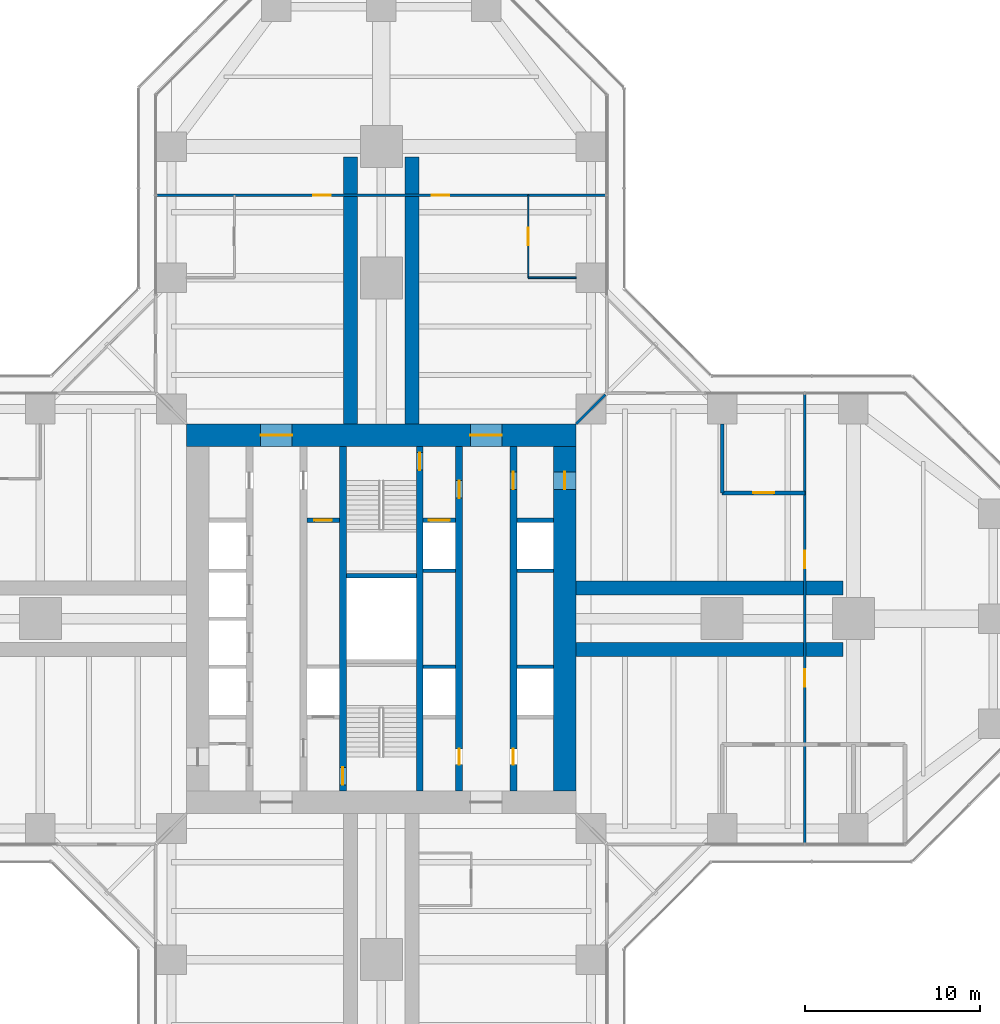
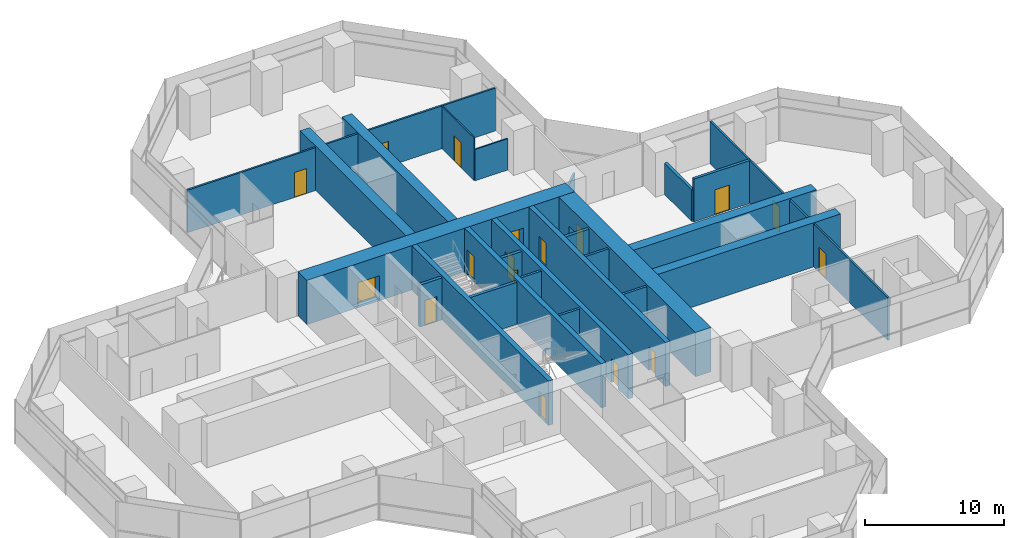
# One storey, part 19 of 22: 25 walls, 17 doors, 17 openings.
"""IFC4 building model written with IfcOpenShell, lengths in metres."""

import ifcopenshell
import ifcopenshell.guid

model = None  # the IFC model being written
_history = None  # IfcOwnerHistory: only IFC2X3 demands one
_inside = {}  # id of a spatial element -> (the spatial element, [elements in it])
_under = {}  # id of a project, library or spatial element -> (it, [spatial elements below it])
_declared = {}  # id of a project -> (the project, [libraries it declares])
_typed = {}  # id of a type object -> (the type object, [elements of that type])
_made_of = {}  # id of a material, layer set ... -> (it, [elements and type objects made of it])


def new_model(schema):
    """Start an empty IFC model of exactly this schema.

    Asked for "IFC4X3", IfcOpenShell would pick the latest addendum, in which some entities
    have other attributes; the version numbers below select the first issue.
    IFC2X3 requires an IfcOwnerHistory on every rooted entity: one is made here for all.
    """
    global model, _history
    if schema == "IFC4X3":
        model = ifcopenshell.file(schema_version=(4, 3, 0, 0))
    else:
        model = ifcopenshell.file(schema=schema)
    _inside.clear()
    _under.clear()
    _declared.clear()
    _typed.clear()
    _made_of.clear()
    _history = None
    if model.schema == "IFC2X3":
        org = make("IfcOrganization", Name="unknown")
        user = make(
            "IfcPersonAndOrganization",
            ThePerson=make("IfcPerson", FamilyName="unknown"),
            TheOrganization=org,
        )
        app = make(
            "IfcApplication",
            ApplicationDeveloper=org,
            Version="unknown",
            ApplicationFullName="unknown",
            ApplicationIdentifier="unknown",
        )
        _history = make(
            "IfcOwnerHistory",
            OwningUser=user,
            OwningApplication=app,
            ChangeAction="ADDED",
            CreationDate=0,
        )
    return model


def make(cls, **values):
    """One entity of the class cls with the attributes given. An attribute that is None is left unset."""
    return model.create_entity(
        cls, **{name: value for name, value in values.items() if value is not None}
    )


def rooted(cls, **values):
    """An entity with a GlobalId (a new one), such as an element, a storey or a relation."""
    return make(cls, GlobalId=ifcopenshell.guid.new(), OwnerHistory=_history, **values)


def si_unit(unit_type, name, prefix=None):
    """IfcSIUnit, for example si_unit("LENGTHUNIT", "METRE", prefix="MILLI")."""
    return make("IfcSIUnit", UnitType=unit_type, Prefix=prefix, Name=name)


def assignment(units):
    """IfcUnitAssignment: the units of a project."""
    return None if units is None else make("IfcUnitAssignment", Units=units)


def point(xyz):
    """IfcCartesianPoint."""
    return None if xyz is None else make("IfcCartesianPoint", Coordinates=xyz)


def direction(xyz):
    """IfcDirection."""
    return None if xyz is None else make("IfcDirection", DirectionRatios=xyz)


def frame(location, z_axis=None, x_axis=None):
    """IfcAxis2Placement3D, a coordinate frame: its origin and axes. An axis left out is left unset."""
    return make(
        "IfcAxis2Placement3D",
        Location=point(location),
        Axis=direction(z_axis),
        RefDirection=direction(x_axis),
    )


def frame_2d(location, x_axis=None):
    """IfcAxis2Placement2D, a coordinate frame in the plane: its origin and x axis."""
    return make(
        "IfcAxis2Placement2D", Location=point(location), RefDirection=direction(x_axis)
    )


def origin():
    """The frame at (0, 0, 0) with its axes left unset."""
    return frame((0.0, 0.0, 0.0))


def place(relative_to, where):
    """IfcLocalPlacement: puts the frame where relative to a parent placement (None: the world)."""
    return make(
        "IfcLocalPlacement", PlacementRelTo=relative_to, RelativePlacement=where
    )


def context(
    kind, dimensions, precision=None, world=None, true_north=None, identifier=None
):
    """IfcGeometricRepresentationContext, for example the 3D "Model" context."""
    return make(
        "IfcGeometricRepresentationContext",
        ContextIdentifier=identifier,
        ContextType=kind,
        CoordinateSpaceDimension=dimensions,
        Precision=precision,
        WorldCoordinateSystem=world,
        TrueNorth=true_north,
    )


def subcontext(parent, identifier, kind, view, scale=None):
    """IfcGeometricRepresentationSubContext, for example "Body" below "Model"."""
    return make(
        "IfcGeometricRepresentationSubContext",
        ContextIdentifier=identifier,
        ContextType=kind,
        ParentContext=parent,
        TargetScale=scale,
        TargetView=view,
    )


def project(units=None, contexts=None):
    """IfcProject with its units and contexts."""
    return rooted(
        "IfcProject",
        Name="project",
        RepresentationContexts=contexts,
        UnitsInContext=assignment(units),
    )


def spatial(cls, under=None, at=None, **own):
    """A site, building, storey or space (cls), placed at a placement, below another one or the project."""
    s = rooted(cls, ObjectPlacement=at, **own)
    if under is not None:
        _under.setdefault(under.id(), (under, []))[1].append(s)
    return s


def profile(cls, at=None, kind="AREA", **sizes):
    """A parametric profile (cls). Its sizes go by their IFC names, for example OverallWidth=200.0."""
    return make(cls, ProfileType=kind, Position=at, **sizes)


def rectangle(**sizes):
    """IfcRectangleProfileDef."""
    return profile("IfcRectangleProfileDef", **sizes)


def extrude(swept, where, along, depth):
    """IfcExtrudedAreaSolid: the profile swept, set in the frame where, extruded along a direction by depth."""
    return make(
        "IfcExtrudedAreaSolid",
        SweptArea=swept,
        Position=where,
        ExtrudedDirection=direction(along),
        Depth=depth,
    )


def shape(context_of_items, identifier, shape_type, items):
    """IfcShapeRepresentation: the items that make up one representation, for example the "Body"."""
    return make(
        "IfcShapeRepresentation",
        ContextOfItems=context_of_items,
        RepresentationIdentifier=identifier,
        RepresentationType=shape_type,
        Items=items,
    )


def material(Name=None, Category=None):
    """IfcMaterial."""
    return make("IfcMaterial", Name=Name, Category=Category)


def layer(
    of_material, thickness, ventilated=None, Name=None, Category=None, Priority=None
):
    """IfcMaterialLayer: one layer of a wall or slab, of a material (None: an air gap)."""
    return make(
        "IfcMaterialLayer",
        Material=of_material,
        LayerThickness=thickness,
        IsVentilated=ventilated,
        Name=Name,
        Category=Category,
        Priority=Priority,
    )


def layer_set(layers, Name=None):
    """IfcMaterialLayerSet."""
    return make("IfcMaterialLayerSet", MaterialLayers=layers, LayerSetName=Name)


def made_of(thing, what):
    """Note that an element or type object is made of a material, layer set ...; save() writes the relation."""
    if what is not None:
        _made_of.setdefault(what.id(), (what, []))[1].append(thing)
    return thing


def type_object(cls, material=None, **own):
    """A type object (cls), such as IfcWallType, which elements share."""
    return made_of(rooted(cls, **own), material)


def element(
    cls,
    number,
    at=None,
    inside=None,
    cuts=None,
    type_object=None,
    material=None,
    context=None,
    identifier="Body",
    shape_type=None,
    held_by="IfcProductDefinitionShape",
    body=None,
    shapes=None,
    **own,
):
    """One element of the class cls, such as IfcWall. Its Tag is "e" and its number.

    at: its placement. inside: the storey or other place that contains it. cuts: it is an
    opening in that element (IfcRelVoidsElement). A single representation is given by context,
    identifier, shape_type and body (its items); several are given by shapes. held_by: the class
    of the entity that holds the representations. save() writes the other relations.
    """
    e = rooted(cls, Tag="e%d" % number, ObjectPlacement=at, **own)
    if body is not None:
        shapes = [shape(context, identifier, shape_type, body)]
    if shapes is not None:
        e.Representation = make(held_by, Representations=shapes)
    if inside is not None:
        _inside.setdefault(inside.id(), (inside, []))[1].append(e)
    if cuts is not None:
        rooted(
            "IfcRelVoidsElement", RelatingBuildingElement=cuts, RelatedOpeningElement=e
        )
    if type_object is not None:
        _typed.setdefault(type_object.id(), (type_object, []))[1].append(e)
    return made_of(e, material)


def fill(opening, filler):
    """IfcRelFillsElement: the door or window that sits in an opening."""
    return rooted(
        "IfcRelFillsElement",
        RelatingOpeningElement=opening,
        RelatedBuildingElement=filler,
    )


def aggregate(whole, parts):
    """IfcRelAggregates: a whole, such as a stair, and the parts it consists of."""
    return rooted("IfcRelAggregates", RelatingObject=whole, RelatedObjects=parts)


def save(model, path):
    """Write the relations noted so far, then the file.

    IfcRelAggregates (storeys below a building ...), IfcRelContainedInSpatialStructure (elements
    in a storey), IfcRelDefinesByType, IfcRelAssociatesMaterial and IfcRelDeclares: one each for
    every whole, place, type object, material and project.
    """
    for whole, parts in _under.values():
        aggregate(whole, parts)
    for where, things in _inside.values():
        rooted(
            "IfcRelContainedInSpatialStructure",
            RelatedElements=things,
            RelatingStructure=where,
        )
    for kind, things in _typed.values():
        rooted("IfcRelDefinesByType", RelatedObjects=things, RelatingType=kind)
    for what, things in _made_of.values():
        rooted("IfcRelAssociatesMaterial", RelatedObjects=things, RelatingMaterial=what)
    for by, libraries in _declared.values():
        rooted("IfcRelDeclares", RelatingContext=by, RelatedDefinitions=libraries)
    model.write(path)


model = new_model("IFC4")

# Units and contexts
model_context = context("Model", 3, precision=1e-05, world=origin(), true_north=direction((0.0, 1.0)))
body_context = subcontext(model_context, "Body", "Model", "MODEL_VIEW")
ifc_project = project(units=[si_unit("LENGTHUNIT", "METRE"), si_unit("AREAUNIT", "SQUARE_METRE"), si_unit("VOLUMEUNIT", "CUBIC_METRE"), si_unit("PLANEANGLEUNIT", "RADIAN"), si_unit("MASSUNIT", "GRAM", prefix="KILO")], contexts=[model_context])

# Site, building, storey
site_placement = place(None, origin())
site = spatial("IfcSite", under=ifc_project, at=site_placement, CompositionType="ELEMENT")
building_placement = place(site_placement, origin())
building = spatial("IfcBuilding", under=site, at=building_placement, Name="Mizan Broadcast Tower", CompositionType="ELEMENT")
storey_placement = place(building_placement, frame((0.0, 0.0, 86.39990234375)))
storey = spatial("IfcBuildingStorey", under=building, at=storey_placement, Name="L18", CompositionType="ELEMENT", Elevation=86.39990234375)

# Wall, openings, doors
ifc_material_1 = material(Name="Concrete C70/85", Category="concrete")
ifc_layer_1 = layer(ifc_material_1, 0.39990234375)
ifc_layer_set_1 = layer_set([ifc_layer_1], Name="Concrete C70/85")
wall_type_1 = type_object("IfcWallType", Name="CORE INTERNAL WALL 400", PredefinedType="SHEAR", material=ifc_layer_set_1)
wall_1_placement = place(storey_placement, frame((7.550048828125, 9.85009765625, 0.0), z_axis=(0.0, 0.0, 1.0), x_axis=(0.0, -1.0, 0.0)))
wall_1 = element("IfcWall", 1, at=wall_1_placement, inside=storey, type_object=wall_type_1, Name="Core wall CORE/XW1E", PredefinedType="SHEAR", context=body_context, shape_type="SweptSolid", body=[
    extrude(rectangle(XDim=19.7001953125, YDim=0.39990234375, at=frame_2d((9.85009765625, 0.0))), origin(), (0.0, 0.0, 1.0), 3.900146484375),
])
opening_1_placement = place(wall_1_placement, frame((1.449951171875, 0.0, 0.0)))
opening_1 = element("IfcOpeningElement", 2, at=opening_1_placement, cuts=wall_1, Name="Opening D10F", PredefinedType="OPENING", context=body_context, shape_type="SweptSolid", body=[
    extrude(rectangle(XDim=1.0, YDim=2.199951171875, at=frame_2d((0.5, 1.10009765625))), frame((0.0, 0.2099609375, 0.0), z_axis=(0.0, -1.0, 0.0), x_axis=(1.0, 0.0, 0.0)), (0.0, 0.0, 1.0), 0.419921875),
])
opening_2_placement = place(wall_1_placement, frame((17.300048828125, 0.0, 0.0)))
opening_2 = element("IfcOpeningElement", 3, at=opening_2_placement, cuts=wall_1, Name="Opening D09", PredefinedType="OPENING", context=body_context, shape_type="SweptSolid", body=[
    extrude(rectangle(XDim=0.89990234375, YDim=2.10009765625, at=frame_2d((0.449951171875, 1.050048828125))), frame((0.0, 0.2099609375, 0.0), z_axis=(0.0, -1.0, 0.0), x_axis=(1.0, 0.0, 0.0)), (0.0, 0.0, 1.0), 0.419921875),
])
ifc_material_2 = material(Name="Steel door leaf in steel frame", Category="steel")
door_type_1 = type_object("IfcDoorType", Name="FIRE DOOR 1000 FD90", OperationType="SINGLE_SWING_LEFT", PredefinedType="DOOR", material=ifc_material_2)
door_1_placement = place(opening_1_placement, origin())
door_1 = element("IfcDoor", 4, at=door_1_placement, inside=storey, type_object=door_type_1, Name="East core passage door", OperationType="SINGLE_SWING_LEFT", OverallHeight=2.199951171875, OverallWidth=1.0, PredefinedType="DOOR", context=body_context, shape_type="SweptSolid", body=[
    extrude(rectangle(XDim=1.0, YDim=2.199951171875, at=frame_2d((0.5, 1.10009765625))), frame((0.0, 0.02490234375, 0.0), z_axis=(0.0, -1.0, 0.0), x_axis=(1.0, 0.0, 0.0)), (0.0, 0.0, 1.0), 0.050048828125),
])
fill(opening_1, door_1)
ifc_material_3 = material(Name="Timber door leaf in aluminium frame", Category="wood")
door_type_2 = type_object("IfcDoorType", Name="TOILET DOOR 900", OperationType="SINGLE_SWING_LEFT", PredefinedType="DOOR", material=ifc_material_3)
door_2_placement = place(opening_2_placement, origin())
door_2 = element("IfcDoor", 5, at=door_2_placement, inside=storey, type_object=door_type_2, Name="Female WC door", OperationType="SINGLE_SWING_RIGHT", OverallHeight=2.10009765625, OverallWidth=0.89990234375, PredefinedType="DOOR", context=body_context, shape_type="SweptSolid", body=[
    extrude(rectangle(XDim=0.89990234375, YDim=2.10009765625, at=frame_2d((0.449951171875, 1.050048828125))), frame((0.0, 0.02490234375, 0.0), z_axis=(0.0, -1.0, 0.0), x_axis=(1.0, 0.0, 0.0)), (0.0, 0.0, 1.0), 0.050048828125),
])
fill(opening_2, door_2)

wall_2_placement = place(storey_placement, frame((4.449951171875, 9.85009765625, 0.0), z_axis=(0.0, 0.0, 1.0), x_axis=(0.0, -1.0, 0.0)))
wall_2 = element("IfcWall", 6, at=wall_2_placement, inside=storey, type_object=wall_type_1, Name="Core wall CORE/XWHE", PredefinedType="SHEAR", context=body_context, shape_type="SweptSolid", body=[
    extrude(rectangle(XDim=19.7001953125, YDim=0.39990234375, at=frame_2d((9.85009765625, 0.0))), origin(), (0.0, 0.0, 1.0), 3.900146484375),
])
opening_3_placement = place(wall_2_placement, frame((1.949951171875, 0.0, 0.0)))
opening_3 = element("IfcOpeningElement", 7, at=opening_3_placement, cuts=wall_2, Name="Opening D10F", PredefinedType="OPENING", context=body_context, shape_type="SweptSolid", body=[
    extrude(rectangle(XDim=1.0, YDim=2.199951171875, at=frame_2d((0.5, 1.10009765625))), frame((0.0, 0.2099609375, 0.0), z_axis=(0.0, -1.0, 0.0), x_axis=(1.0, 0.0, 0.0)), (0.0, 0.0, 1.0), 0.419921875),
])
opening_4_placement = place(wall_2_placement, frame((17.300048828125, 0.0, 0.0)))
opening_4 = element("IfcOpeningElement", 8, at=opening_4_placement, cuts=wall_2, Name="Opening D09", PredefinedType="OPENING", context=body_context, shape_type="SweptSolid", body=[
    extrude(rectangle(XDim=0.89990234375, YDim=2.10009765625, at=frame_2d((0.449951171875, 1.050048828125))), frame((0.0, 0.2099609375, 0.0), z_axis=(0.0, -1.0, 0.0), x_axis=(1.0, 0.0, 0.0)), (0.0, 0.0, 1.0), 0.419921875),
])
door_3_placement = place(opening_3_placement, origin())
door_3 = element("IfcDoor", 9, at=door_3_placement, inside=storey, type_object=door_type_1, Name="Firefighting lobby B door", OperationType="SINGLE_SWING_LEFT", OverallHeight=2.199951171875, OverallWidth=1.0, PredefinedType="DOOR", context=body_context, shape_type="SweptSolid", body=[
    extrude(rectangle(XDim=1.0, YDim=2.199951171875, at=frame_2d((0.5, 1.10009765625))), frame((0.0, 0.02490234375, 0.0), z_axis=(0.0, -1.0, 0.0), x_axis=(1.0, 0.0, 0.0)), (0.0, 0.0, 1.0), 0.050048828125),
])
fill(opening_3, door_3)
door_4_placement = place(opening_4_placement, origin())
door_4 = element("IfcDoor", 10, at=door_4_placement, inside=storey, type_object=door_type_2, Name="Cleaner's store door", OperationType="SINGLE_SWING_RIGHT", OverallHeight=2.10009765625, OverallWidth=0.89990234375, PredefinedType="DOOR", context=body_context, shape_type="SweptSolid", body=[
    extrude(rectangle(XDim=0.89990234375, YDim=2.10009765625, at=frame_2d((0.449951171875, 1.050048828125))), frame((0.0, 0.02490234375, 0.0), z_axis=(0.0, -1.0, 0.0), x_axis=(1.0, 0.0, 0.0)), (0.0, 0.0, 1.0), 0.050048828125),
])
fill(opening_4, door_4)

# Wall, opening, door
wall_3_placement = place(storey_placement, frame((-2.199951171875, -9.85009765625, 0.0), z_axis=(0.0, 0.0, 1.0), x_axis=(0.0, 1.0, 0.0)))
wall_3 = element("IfcWall", 11, at=wall_3_placement, inside=storey, type_object=wall_type_1, Name="Core wall CORE/XW2", PredefinedType="SHEAR", context=body_context, shape_type="SweptSolid", body=[
    extrude(rectangle(XDim=19.7001953125, YDim=0.39990234375, at=frame_2d((9.85009765625, 0.0))), origin(), (0.0, 0.0, 1.0), 3.900146484375),
])
opening_5_placement = place(wall_3_placement, frame((0.35009765625, 0.0, 0.0)))
opening_5 = element("IfcOpeningElement", 12, at=opening_5_placement, cuts=wall_3, Name="Opening D10S", PredefinedType="OPENING", context=body_context, shape_type="SweptSolid", body=[
    extrude(rectangle(XDim=1.0, YDim=2.199951171875, at=frame_2d((0.5, 1.10009765625))), frame((0.0, 0.2099609375, 0.0), z_axis=(0.0, -1.0, 0.0), x_axis=(1.0, 0.0, 0.0)), (0.0, 0.0, 1.0), 0.419921875),
])
ifc_material_4 = material(Name="Steel door leaf in steel frame", Category="steel")
door_type_3 = type_object("IfcDoorType", Name="STAIR DOOR 1000 FD90S", OperationType="SINGLE_SWING_RIGHT", PredefinedType="DOOR", material=ifc_material_4)
door_5_placement = place(opening_5_placement, origin())
door_5 = element("IfcDoor", 13, at=door_5_placement, inside=storey, type_object=door_type_3, Name="Stair A door", OperationType="SINGLE_SWING_RIGHT", OverallHeight=2.199951171875, OverallWidth=1.0, PredefinedType="DOOR", context=body_context, shape_type="SweptSolid", body=[
    extrude(rectangle(XDim=1.0, YDim=2.199951171875, at=frame_2d((0.5, 1.10009765625))), frame((0.0, 0.02490234375, 0.0), z_axis=(0.0, -1.0, 0.0), x_axis=(1.0, 0.0, 0.0)), (0.0, 0.0, 1.0), 0.050048828125),
])
fill(opening_5, door_5)

wall_4_placement = place(storey_placement, frame((2.199951171875, 9.85009765625, 0.0), z_axis=(0.0, 0.0, 1.0), x_axis=(0.0, -1.0, 0.0)))
wall_4 = element("IfcWall", 14, at=wall_4_placement, inside=storey, type_object=wall_type_1, Name="Core wall CORE/XW2E", PredefinedType="SHEAR", context=body_context, shape_type="SweptSolid", body=[
    extrude(rectangle(XDim=19.7001953125, YDim=0.39990234375, at=frame_2d((9.85009765625, 0.0))), origin(), (0.0, 0.0, 1.0), 3.900146484375),
])
opening_6_placement = place(wall_4_placement, frame((0.35009765625, 0.0, 0.0)))
opening_6 = element("IfcOpeningElement", 15, at=opening_6_placement, cuts=wall_4, Name="Opening D10S", PredefinedType="OPENING", context=body_context, shape_type="SweptSolid", body=[
    extrude(rectangle(XDim=1.0, YDim=2.199951171875, at=frame_2d((0.5, 1.10009765625))), frame((0.0, 0.2099609375, 0.0), z_axis=(0.0, -1.0, 0.0), x_axis=(1.0, 0.0, 0.0)), (0.0, 0.0, 1.0), 0.419921875),
])
door_6_placement = place(opening_6_placement, origin())
door_6 = element("IfcDoor", 16, at=door_6_placement, inside=storey, type_object=door_type_3, Name="Stair B door", OperationType="SINGLE_SWING_RIGHT", OverallHeight=2.199951171875, OverallWidth=1.0, PredefinedType="DOOR", context=body_context, shape_type="SweptSolid", body=[
    extrude(rectangle(XDim=1.0, YDim=2.199951171875, at=frame_2d((0.5, 1.10009765625))), frame((0.0, 0.02490234375, 0.0), z_axis=(0.0, -1.0, 0.0), x_axis=(1.0, 0.0, 0.0)), (0.0, 0.0, 1.0), 0.050048828125),
])
fill(opening_6, door_6)

# Wall, openings, doors
ifc_material_5 = material(Name="Concrete C70/85", Category="concrete")
ifc_layer_2 = layer(ifc_material_5, 1.300048828125)
ifc_layer_set_2 = layer_set([ifc_layer_2], Name="Concrete C70/85")
wall_type_2 = type_object("IfcWallType", Name="CORE WALL 1300", PredefinedType="SHEAR", material=ifc_layer_set_2)
wall_5_placement = place(storey_placement, frame((-11.14990234375, 10.5, 0.0), z_axis=(0.0, 0.0, 1.0), x_axis=(1.0, 0.0, 0.0)))
wall_5 = element("IfcWall", 17, at=wall_5_placement, inside=storey, type_object=wall_type_2, Name="Core wall N L18", PredefinedType="SHEAR", context=body_context, shape_type="SweptSolid", body=[
    extrude(rectangle(XDim=22.2998046875, YDim=1.300048828125, at=frame_2d((11.14990234375, 0.0))), origin(), (0.0, 0.0, 1.0), 3.900146484375),
])
opening_7_placement = place(wall_5_placement, frame((4.25, 0.0, 0.0)))
opening_7 = element("IfcOpeningElement", 18, at=opening_7_placement, cuts=wall_5, Name="Opening D18F", PredefinedType="OPENING", context=body_context, shape_type="SweptSolid", body=[
    extrude(rectangle(XDim=1.800048828125, YDim=2.199951171875, at=frame_2d((0.89990234375, 1.10009765625))), frame((0.0, 0.659912109375, 0.0), z_axis=(0.0, -1.0, 0.0), x_axis=(1.0, 0.0, 0.0)), (0.0, 0.0, 1.0), 1.320068359375),
])
opening_8_placement = place(wall_5_placement, frame((16.25, 0.0, 0.0)))
opening_8 = element("IfcOpeningElement", 19, at=opening_8_placement, cuts=wall_5, Name="Opening D18F", PredefinedType="OPENING", context=body_context, shape_type="SweptSolid", body=[
    extrude(rectangle(XDim=1.800048828125, YDim=2.199951171875, at=frame_2d((0.89990234375, 1.10009765625))), frame((0.0, 0.659912109375, 0.0), z_axis=(0.0, -1.0, 0.0), x_axis=(1.0, 0.0, 0.0)), (0.0, 0.0, 1.0), 1.320068359375),
])
ifc_material_6 = material(Name="Steel door leaf in steel frame", Category="steel")
door_type_4 = type_object("IfcDoorType", Name="LOBBY DOUBLE DOOR 1800 FD90", OperationType="DOUBLE_DOOR_DOUBLE_SWING", PredefinedType="DOOR", material=ifc_material_6)
door_7_placement = place(opening_7_placement, origin())
door_7 = element("IfcDoor", 20, at=door_7_placement, inside=storey, type_object=door_type_4, Name="West lift lobby north door", OperationType="DOUBLE_DOOR_DOUBLE_SWING", OverallHeight=2.199951171875, OverallWidth=1.800048828125, PredefinedType="DOOR", context=body_context, shape_type="SweptSolid", body=[
    extrude(rectangle(XDim=1.800048828125, YDim=2.199951171875, at=frame_2d((0.89990234375, 1.10009765625))), frame((0.0, 0.02490234375, 0.0), z_axis=(0.0, -1.0, 0.0), x_axis=(1.0, 0.0, 0.0)), (0.0, 0.0, 1.0), 0.050048828125),
])
fill(opening_7, door_7)
door_8_placement = place(opening_8_placement, origin())
door_8 = element("IfcDoor", 21, at=door_8_placement, inside=storey, type_object=door_type_4, Name="East lift lobby north door", OperationType="DOUBLE_DOOR_DOUBLE_SWING", OverallHeight=2.199951171875, OverallWidth=1.800048828125, PredefinedType="DOOR", context=body_context, shape_type="SweptSolid", body=[
    extrude(rectangle(XDim=1.800048828125, YDim=2.199951171875, at=frame_2d((0.89990234375, 1.10009765625))), frame((0.0, 0.02490234375, 0.0), z_axis=(0.0, -1.0, 0.0), x_axis=(1.0, 0.0, 0.0)), (0.0, 0.0, 1.0), 0.050048828125),
])
fill(opening_8, door_8)

# Wall, opening, door
wall_6_placement = place(storey_placement, frame((10.5, -9.85009765625, 0.0), z_axis=(0.0, 0.0, 1.0), x_axis=(0.0, 1.0, 0.0)))
wall_6 = element("IfcWall", 22, at=wall_6_placement, inside=storey, type_object=wall_type_2, Name="Core wall E L18", PredefinedType="SHEAR", context=body_context, shape_type="SweptSolid", body=[
    extrude(rectangle(XDim=19.7001953125, YDim=1.300048828125, at=frame_2d((9.85009765625, 0.0))), origin(), (0.0, 0.0, 1.0), 3.900146484375),
])
opening_9_placement = place(wall_6_placement, frame((17.25, 0.0, 0.0)))
opening_9 = element("IfcOpeningElement", 23, at=opening_9_placement, cuts=wall_6, Name="Opening D10F", PredefinedType="OPENING", context=body_context, shape_type="SweptSolid", body=[
    extrude(rectangle(XDim=1.0, YDim=2.199951171875, at=frame_2d((0.5, 1.10009765625))), frame((0.0, 0.659912109375, 0.0), z_axis=(0.0, -1.0, 0.0), x_axis=(1.0, 0.0, 0.0)), (0.0, 0.0, 1.0), 1.320068359375),
])
door_9_placement = place(opening_9_placement, origin())
door_9 = element("IfcDoor", 24, at=door_9_placement, inside=storey, type_object=door_type_1, Name="East core passage arm door", OperationType="SINGLE_SWING_RIGHT", OverallHeight=2.199951171875, OverallWidth=1.0, PredefinedType="DOOR", context=body_context, shape_type="SweptSolid", body=[
    extrude(rectangle(XDim=1.0, YDim=2.199951171875, at=frame_2d((0.5, 1.10009765625))), frame((0.0, 0.02490234375, 0.0), z_axis=(0.0, -1.0, 0.0), x_axis=(1.0, 0.0, 0.0)), (0.0, 0.0, 1.0), 0.050048828125),
])
fill(opening_9, door_9)

# Walls
ifc_material_7 = material(Name="Concrete blockwork", Category="masonry")
ifc_layer_3 = layer(ifc_material_7, 0.199951171875)
ifc_layer_set_3 = layer_set([ifc_layer_3], Name="Concrete blockwork")
wall_type_3 = type_object("IfcWallType", Name="LIFT SHAFT WALL 200", PredefinedType="SOLIDWALL", material=ifc_layer_set_3)
wall_7_placement = place(storey_placement, frame((2.39990234375, -2.75, 0.0), z_axis=(0.0, 0.0, 1.0), x_axis=(1.0, 0.0, 0.0)))
element("IfcWall", 25, at=wall_7_placement, inside=storey, type_object=wall_type_3, Name="Lift shaft wall CORE/SE2-1", PredefinedType="SOLIDWALL", context=body_context, shape_type="SweptSolid", body=[
    extrude(rectangle(XDim=1.85009765625, YDim=0.199951171875, at=frame_2d((0.925048828125, 0.0))), origin(), (0.0, 0.0, 1.0), 3.7001953125),
])
wall_8_placement = place(storey_placement, frame((7.75, -2.75, 0.0), z_axis=(0.0, 0.0, 1.0), x_axis=(1.0, 0.0, 0.0)))
element("IfcWall", 26, at=wall_8_placement, inside=storey, type_object=wall_type_3, Name="Lift shaft wall CORE/SE1-1", PredefinedType="SOLIDWALL", context=body_context, shape_type="SweptSolid", body=[
    extrude(rectangle(XDim=2.10009765625, YDim=0.199951171875, at=frame_2d((1.050048828125, 0.0))), origin(), (0.0, 0.0, 1.0), 3.7001953125),
])
wall_9_placement = place(storey_placement, frame((2.39990234375, 2.75, 0.0), z_axis=(0.0, 0.0, 1.0), x_axis=(1.0, 0.0, 0.0)))
element("IfcWall", 27, at=wall_9_placement, inside=storey, type_object=wall_type_3, Name="Lift shaft wall CORE/SE2-3", PredefinedType="SOLIDWALL", context=body_context, shape_type="SweptSolid", body=[
    extrude(rectangle(XDim=1.85009765625, YDim=0.199951171875, at=frame_2d((0.925048828125, 0.0))), origin(), (0.0, 0.0, 1.0), 3.7001953125),
])
wall_10_placement = place(storey_placement, frame((7.75, 2.75, 0.0), z_axis=(0.0, 0.0, 1.0), x_axis=(1.0, 0.0, 0.0)))
element("IfcWall", 28, at=wall_10_placement, inside=storey, type_object=wall_type_3, Name="Lift shaft wall CORE/SE1-3", PredefinedType="SOLIDWALL", context=body_context, shape_type="SweptSolid", body=[
    extrude(rectangle(XDim=2.10009765625, YDim=0.199951171875, at=frame_2d((1.050048828125, 0.0))), origin(), (0.0, 0.0, 1.0), 3.7001953125),
])

# Wall, opening, door
ifc_material_8 = material(Name="Concrete blockwork", Category="masonry")
ifc_layer_4 = layer(ifc_material_8, 0.25)
ifc_layer_set_4 = layer_set([ifc_layer_4], Name="Concrete blockwork")
wall_type_4 = type_object("IfcWallType", Name="LOBBY ENCLOSURE WALL 250", PredefinedType="SOLIDWALL", material=ifc_layer_set_4)
wall_11_placement = place(storey_placement, frame((-4.25, 5.625, 0.0), z_axis=(0.0, 0.0, 1.0), x_axis=(1.0, 0.0, 0.0)))
wall_11 = element("IfcWall", 29, at=wall_11_placement, inside=storey, type_object=wall_type_4, Name="Lobby enclosure wall CORE/BW2N", PredefinedType="SOLIDWALL", context=body_context, shape_type="SweptSolid", body=[
    extrude(rectangle(XDim=1.85009765625, YDim=0.25, at=frame_2d((0.925048828125, 0.0))), origin(), (0.0, 0.0, 1.0), 3.7001953125),
])
opening_10_placement = place(wall_11_placement, frame((0.425048828125, 0.0, 0.0)))
opening_10 = element("IfcOpeningElement", 30, at=opening_10_placement, cuts=wall_11, Name="Opening D10F", PredefinedType="OPENING", context=body_context, shape_type="SweptSolid", body=[
    extrude(rectangle(XDim=1.0, YDim=2.199951171875, at=frame_2d((0.5, 1.10009765625))), frame((0.0, 0.135009765625, 0.0), z_axis=(0.0, -1.0, 0.0), x_axis=(1.0, 0.0, 0.0)), (0.0, 0.0, 1.0), 0.27001953125),
])
door_10_placement = place(opening_10_placement, origin())
door_10 = element("IfcDoor", 31, at=door_10_placement, inside=storey, type_object=door_type_1, Name="Accessible changing room door", OperationType="SINGLE_SWING_RIGHT", OverallHeight=2.199951171875, OverallWidth=1.0, PredefinedType="DOOR", context=body_context, shape_type="SweptSolid", body=[
    extrude(rectangle(XDim=1.0, YDim=2.199951171875, at=frame_2d((0.5, 1.10009765625))), frame((0.0, 0.02490234375, 0.0), z_axis=(0.0, -1.0, 0.0), x_axis=(1.0, 0.0, 0.0)), (0.0, 0.0, 1.0), 0.050048828125),
])
fill(opening_10, door_10)

wall_12_placement = place(storey_placement, frame((2.39990234375, 5.625, 0.0), z_axis=(0.0, 0.0, 1.0), x_axis=(1.0, 0.0, 0.0)))
wall_12 = element("IfcWall", 32, at=wall_12_placement, inside=storey, type_object=wall_type_4, Name="Lobby enclosure wall CORE/BE2N", PredefinedType="SOLIDWALL", context=body_context, shape_type="SweptSolid", body=[
    extrude(rectangle(XDim=1.85009765625, YDim=0.25, at=frame_2d((0.925048828125, 0.0))), origin(), (0.0, 0.0, 1.0), 3.7001953125),
])
opening_11_placement = place(wall_12_placement, frame((0.324951171875, 0.0, 0.0)))
opening_11 = element("IfcOpeningElement", 33, at=opening_11_placement, cuts=wall_12, Name="Opening LDF", PredefinedType="OPENING", context=body_context, shape_type="SweptSolid", body=[
    extrude(rectangle(XDim=1.199951171875, YDim=2.199951171875, at=frame_2d((0.60009765625, 1.10009765625))), frame((0.0, 0.135009765625, 0.0), z_axis=(0.0, -1.0, 0.0), x_axis=(1.0, 0.0, 0.0)), (0.0, 0.0, 1.0), 0.27001953125),
])
ifc_material_9 = material(Name="Steel door leaf in steel frame", Category="steel")
door_type_5 = type_object("IfcDoorType", Name="FIREFIGHTING LIFT LANDING DOOR 1200", OperationType="SLIDING_TO_LEFT", PredefinedType="DOOR", material=ifc_material_9)
door_11_placement = place(opening_11_placement, origin())
door_11 = element("IfcDoor", 34, at=door_11_placement, inside=storey, type_object=door_type_5, Name="Landing door FF2", OperationType="SLIDING_TO_LEFT", OverallHeight=2.199951171875, OverallWidth=1.199951171875, PredefinedType="DOOR", context=body_context, shape_type="SweptSolid", body=[
    extrude(rectangle(XDim=1.199951171875, YDim=2.199951171875, at=frame_2d((0.60009765625, 1.10009765625))), frame((0.0, 0.02490234375, 0.0), z_axis=(0.0, -1.0, 0.0), x_axis=(1.0, 0.0, 0.0)), (0.0, 0.0, 1.0), 0.050048828125),
])
fill(opening_11, door_11)

# Walls
wall_13_placement = place(storey_placement, frame((7.75, 5.625, 0.0), z_axis=(0.0, 0.0, 1.0), x_axis=(1.0, 0.0, 0.0)))
element("IfcWall", 35, at=wall_13_placement, inside=storey, type_object=wall_type_4, Name="Lobby enclosure wall CORE/BE1N", PredefinedType="SOLIDWALL", context=body_context, shape_type="SweptSolid", body=[
    extrude(rectangle(XDim=2.10009765625, YDim=0.25, at=frame_2d((1.050048828125, 0.0))), origin(), (0.0, 0.0, 1.0), 3.7001953125),
])
wall_14_placement = place(storey_placement, frame((-2.0, 2.449951171875, 0.0), z_axis=(0.0, 0.0, 1.0), x_axis=(1.0, 0.0, 0.0)))
element("IfcWall", 36, at=wall_14_placement, inside=storey, type_object=wall_type_4, Name="Lobby enclosure wall CORE/STB", PredefinedType="SOLIDWALL", context=body_context, shape_type="SweptSolid", body=[
    extrude(rectangle(XDim=4.0, YDim=0.25, at=frame_2d((2.0, 0.0))), origin(), (0.0, 0.0, 1.0), 3.7001953125),
])

# Wall, openings, doors
ifc_material_10 = material(Name="Gypsum board on steel studs", Category="steel")
ifc_layer_5 = layer(ifc_material_10, 0.14990234375)
ifc_layer_set_5 = layer_set([ifc_layer_5], Name="Gypsum board on steel studs")
wall_type_5 = type_object("IfcWallType", Name="PARTITION 150", PredefinedType="PARTITIONING", material=ifc_layer_set_5)
wall_15_placement = place(storey_placement, frame((24.22900390625, -12.820068359375, 0.0), z_axis=(0.0, 0.0, 1.0), x_axis=(0.0, 1.0, 0.0)))
wall_15 = element("IfcWall", 37, at=wall_15_placement, inside=storey, type_object=wall_type_5, Name="Partition PT/EX1", PredefinedType="PARTITIONING", context=body_context, shape_type="SweptSolid", body=[
    extrude(rectangle(XDim=25.64013671875, YDim=0.14990234375, at=frame_2d((12.820068359375, 0.0))), origin(), (0.0, 0.0, 1.0), 3.77001953125),
])
opening_12_placement = place(wall_15_placement, frame((15.719970703125, 0.0, 0.0)))
opening_12 = element("IfcOpeningElement", 38, at=opening_12_placement, cuts=wall_15, Name="Opening D10", PredefinedType="OPENING", context=body_context, shape_type="SweptSolid", body=[
    extrude(rectangle(XDim=1.0, YDim=2.199951171875, at=frame_2d((0.5, 1.10009765625))), frame((0.0, 0.0849609375, 0.0), z_axis=(0.0, -1.0, 0.0), x_axis=(1.0, 0.0, 0.0)), (0.0, 0.0, 1.0), 0.169921875),
])
opening_13_placement = place(wall_15_placement, frame((8.919921875, 0.0, 0.0)))
opening_13 = element("IfcOpeningElement", 39, at=opening_13_placement, cuts=wall_15, Name="Opening D10", PredefinedType="OPENING", context=body_context, shape_type="SweptSolid", body=[
    extrude(rectangle(XDim=1.0, YDim=2.199951171875, at=frame_2d((0.5, 1.10009765625))), frame((0.0, 0.0849609375, 0.0), z_axis=(0.0, -1.0, 0.0), x_axis=(1.0, 0.0, 0.0)), (0.0, 0.0, 1.0), 0.169921875),
])
ifc_material_11 = material(Name="Timber door leaf in aluminium frame", Category="wood")
door_type_6 = type_object("IfcDoorType", Name="ROOM DOOR 1000", OperationType="SINGLE_SWING_LEFT", PredefinedType="DOOR", material=ifc_material_11)
door_12_placement = place(opening_12_placement, origin())
door_12 = element("IfcDoor", 40, at=door_12_placement, inside=storey, type_object=door_type_6, Name="Open office door", OperationType="SINGLE_SWING_RIGHT", OverallHeight=2.199951171875, OverallWidth=1.0, PredefinedType="DOOR", context=body_context, shape_type="SweptSolid", body=[
    extrude(rectangle(XDim=1.0, YDim=2.199951171875, at=frame_2d((0.5, 1.10009765625))), frame((0.0, 0.02490234375, 0.0), z_axis=(0.0, -1.0, 0.0), x_axis=(1.0, 0.0, 0.0)), (0.0, 0.0, 1.0), 0.050048828125),
])
fill(opening_12, door_12)
door_13_placement = place(opening_13_placement, origin())
door_13 = element("IfcDoor", 41, at=door_13_placement, inside=storey, type_object=door_type_6, Name="Open office door", OperationType="SINGLE_SWING_LEFT", OverallHeight=2.199951171875, OverallWidth=1.0, PredefinedType="DOOR", context=body_context, shape_type="SweptSolid", body=[
    extrude(rectangle(XDim=1.0, YDim=2.199951171875, at=frame_2d((0.5, 1.10009765625))), frame((0.0, 0.02490234375, 0.0), z_axis=(0.0, -1.0, 0.0), x_axis=(1.0, 0.0, 0.0)), (0.0, 0.0, 1.0), 0.050048828125),
])
fill(opening_13, door_13)

wall_16_placement = place(storey_placement, frame((12.820068359375, 24.22900390625, 0.0), z_axis=(0.0, 0.0, 1.0), x_axis=(-1.0, 0.0, 0.0)))
wall_16 = element("IfcWall", 42, at=wall_16_placement, inside=storey, type_object=wall_type_5, Name="Partition PT/NX1", PredefinedType="PARTITIONING", context=body_context, shape_type="SweptSolid", body=[
    extrude(rectangle(XDim=25.64013671875, YDim=0.14990234375, at=frame_2d((12.820068359375, 0.0))), origin(), (0.0, 0.0, 1.0), 3.77001953125),
])
opening_14_placement = place(wall_16_placement, frame((15.719970703125, 0.0, 0.0)))
opening_14 = element("IfcOpeningElement", 43, at=opening_14_placement, cuts=wall_16, Name="Opening D10", PredefinedType="OPENING", context=body_context, shape_type="SweptSolid", body=[
    extrude(rectangle(XDim=1.0, YDim=2.199951171875, at=frame_2d((0.5, 1.10009765625))), frame((0.0, 0.0849609375, 0.0), z_axis=(0.0, -1.0, 0.0), x_axis=(1.0, 0.0, 0.0)), (0.0, 0.0, 1.0), 0.169921875),
])
opening_15_placement = place(wall_16_placement, frame((8.919921875, 0.0, 0.0)))
opening_15 = element("IfcOpeningElement", 44, at=opening_15_placement, cuts=wall_16, Name="Opening D10", PredefinedType="OPENING", context=body_context, shape_type="SweptSolid", body=[
    extrude(rectangle(XDim=1.0, YDim=2.199951171875, at=frame_2d((0.5, 1.10009765625))), frame((0.0, 0.0849609375, 0.0), z_axis=(0.0, -1.0, 0.0), x_axis=(1.0, 0.0, 0.0)), (0.0, 0.0, 1.0), 0.169921875),
])
door_14_placement = place(opening_14_placement, origin())
door_14 = element("IfcDoor", 45, at=door_14_placement, inside=storey, type_object=door_type_6, Name="Script library door", OperationType="SINGLE_SWING_RIGHT", OverallHeight=2.199951171875, OverallWidth=1.0, PredefinedType="DOOR", context=body_context, shape_type="SweptSolid", body=[
    extrude(rectangle(XDim=1.0, YDim=2.199951171875, at=frame_2d((0.5, 1.10009765625))), frame((0.0, 0.02490234375, 0.0), z_axis=(0.0, -1.0, 0.0), x_axis=(1.0, 0.0, 0.0)), (0.0, 0.0, 1.0), 0.050048828125),
])
fill(opening_14, door_14)
door_15_placement = place(opening_15_placement, origin())
door_15 = element("IfcDoor", 46, at=door_15_placement, inside=storey, type_object=door_type_6, Name="Script library door", OperationType="SINGLE_SWING_LEFT", OverallHeight=2.199951171875, OverallWidth=1.0, PredefinedType="DOOR", context=body_context, shape_type="SweptSolid", body=[
    extrude(rectangle(XDim=1.0, YDim=2.199951171875, at=frame_2d((0.5, 1.10009765625))), frame((0.0, 0.02490234375, 0.0), z_axis=(0.0, -1.0, 0.0), x_axis=(1.0, 0.0, 0.0)), (0.0, 0.0, 1.0), 0.050048828125),
])
fill(opening_15, door_15)

# Wall
wall_17_placement = place(storey_placement, frame((11.14990234375, 11.14990234375, 0.0), z_axis=(0.0, 0.0, 1.0), x_axis=(0.707106781187, 0.707106781187, 0.0)))
element("IfcWall", 47, at=wall_17_placement, inside=storey, type_object=wall_type_5, Name="Partition PT/DGEN", PredefinedType="PARTITIONING", context=body_context, shape_type="SweptSolid", body=[
    extrude(rectangle(XDim=2.362060546875, YDim=0.14990234375, at=frame_2d((1.18115234375, 0.0))), origin(), (0.0, 0.0, 1.0), 3.22021484375),
])

# Wall, opening, door
ifc_material_12 = material(Name="Twin steel stud acoustic partition, four layers of gypsum board", Category="steel")
ifc_layer_6 = layer(ifc_material_12, 0.22509765625)
ifc_layer_set_6 = layer_set([ifc_layer_6], Name="Twin steel stud acoustic partition, four layers of gypsum board")
wall_type_6 = type_object("IfcWallType", Name="PARTITION ACOUSTIC 225", PredefinedType="PARTITIONING", material=ifc_layer_set_6)
wall_18_placement = place(storey_placement, frame((19.5, 7.199951171875, 0.0), z_axis=(0.0, 0.0, 1.0), x_axis=(1.0, 0.0, 0.0)))
wall_18 = element("IfcWall", 48, at=wall_18_placement, inside=storey, type_object=wall_type_6, Name="Acoustic partition PT/ECP0", PredefinedType="PARTITIONING", context=body_context, shape_type="SweptSolid", body=[
    extrude(rectangle(XDim=4.72900390625, YDim=0.22509765625, at=frame_2d((2.364501953125, 0.0))), origin(), (0.0, 0.0, 1.0), 3.77001953125),
])
opening_16_placement = place(wall_18_placement, frame((1.764404296875, 0.0, 0.0)))
opening_16 = element("IfcOpeningElement", 49, at=opening_16_placement, cuts=wall_18, Name="Opening D12A", PredefinedType="OPENING", context=body_context, shape_type="SweptSolid", body=[
    extrude(rectangle(XDim=1.199951171875, YDim=2.199951171875, at=frame_2d((0.60009765625, 1.10009765625))), frame((0.0, 0.12255859375, 0.0), z_axis=(0.0, -1.0, 0.0), x_axis=(1.0, 0.0, 0.0)), (0.0, 0.0, 1.0), 0.2451171875),
])
ifc_material_13 = material(Name="Timber door leaf in aluminium frame", Category="wood")
door_type_7 = type_object("IfcDoorType", Name="ACOUSTIC DOOR 1200", OperationType="SINGLE_SWING_LEFT", PredefinedType="DOOR", material=ifc_material_13)
door_16_placement = place(opening_16_placement, origin())
door_16 = element("IfcDoor", 50, at=door_16_placement, inside=storey, type_object=door_type_7, Name="Commissioning editor's office door", OperationType="SINGLE_SWING_LEFT", OverallHeight=2.199951171875, OverallWidth=1.199951171875, PredefinedType="DOOR", context=body_context, shape_type="SweptSolid", body=[
    extrude(rectangle(XDim=1.199951171875, YDim=2.199951171875, at=frame_2d((0.60009765625, 1.10009765625))), frame((0.0, 0.02490234375, 0.0), z_axis=(0.0, -1.0, 0.0), x_axis=(1.0, 0.0, 0.0)), (0.0, 0.0, 1.0), 0.050048828125),
])
fill(opening_16, door_16)

# Wall
wall_19_placement = place(storey_placement, frame((19.5, 7.199951171875, 0.0), z_axis=(0.0, 0.0, 1.0), x_axis=(0.0, 1.0, 0.0)))
element("IfcWall", 51, at=wall_19_placement, inside=storey, type_object=wall_type_6, Name="Acoustic partition PT/EQP1950", PredefinedType="PARTITIONING", context=body_context, shape_type="SweptSolid", body=[
    extrude(rectangle(XDim=3.949951171875, YDim=0.22509765625, at=frame_2d((1.97509765625, 0.0))), origin(), (0.0, 0.0, 1.0), 2.77001953125),
])

# Wall, opening, door
ifc_material_14 = material(Name="Glazed aluminium partition on aluminium track", Category="aluminium")
ifc_layer_7 = layer(ifc_material_14, 0.10009765625)
ifc_layer_set_7 = layer_set([ifc_layer_7], Name="Glazed aluminium partition on aluminium track")
wall_type_7 = type_object("IfcWallType", Name="PARTITION GLAZED OFFICE FRONT 100", PredefinedType="PARTITIONING", material=ifc_layer_set_7)
wall_20_placement = place(storey_placement, frame((8.39990234375, 19.5, 0.0), z_axis=(0.0, 0.0, 1.0), x_axis=(0.0, 1.0, 0.0)))
wall_20 = element("IfcWall", 52, at=wall_20_placement, inside=storey, type_object=wall_type_7, Name="Glazed office front PT/NCN0", PredefinedType="PARTITIONING", context=body_context, shape_type="SweptSolid", body=[
    extrude(rectangle(XDim=4.72900390625, YDim=0.10009765625, at=frame_2d((2.364501953125, 0.0))), origin(), (0.0, 0.0, 1.0), 3.77001953125),
])
opening_17_placement = place(wall_20_placement, frame((1.864501953125, 0.0, 0.0)))
opening_17 = element("IfcOpeningElement", 53, at=opening_17_placement, cuts=wall_20, Name="Opening D10O", PredefinedType="OPENING", context=body_context, shape_type="SweptSolid", body=[
    extrude(rectangle(XDim=1.0, YDim=2.199951171875, at=frame_2d((0.5, 1.10009765625))), frame((0.0, 0.06005859375, 0.0), z_axis=(0.0, -1.0, 0.0), x_axis=(1.0, 0.0, 0.0)), (0.0, 0.0, 1.0), 0.1201171875),
])
ifc_material_15 = material(Name="Timber door leaf in aluminium frame", Category="wood")
door_type_8 = type_object("IfcDoorType", Name="OFFICE DOOR 1000 GLAZED", OperationType="SINGLE_SWING_LEFT", PredefinedType="DOOR", material=ifc_material_15)
door_17_placement = place(opening_17_placement, origin())
door_17 = element("IfcDoor", 54, at=door_17_placement, inside=storey, type_object=door_type_8, Name="Office door", OperationType="SINGLE_SWING_LEFT", OverallHeight=2.199951171875, OverallWidth=1.0, PredefinedType="DOOR", context=body_context, shape_type="SweptSolid", body=[
    extrude(rectangle(XDim=1.0, YDim=2.199951171875, at=frame_2d((0.5, 1.10009765625))), frame((0.0, 0.02490234375, 0.0), z_axis=(0.0, -1.0, 0.0), x_axis=(1.0, 0.0, 0.0)), (0.0, 0.0, 1.0), 0.050048828125),
])
fill(opening_17, door_17)

# Walls
wall_21_placement = place(storey_placement, frame((8.39990234375, 19.5, 0.0), z_axis=(0.0, 0.0, 1.0), x_axis=(1.0, 0.0, 0.0)))
element("IfcWall", 55, at=wall_21_placement, inside=storey, type_object=wall_type_7, Name="Glazed office front PT/NQN1950", PredefinedType="PARTITIONING", context=body_context, shape_type="SweptSolid", body=[
    extrude(rectangle(XDim=2.75, YDim=0.10009765625, at=frame_2d((1.375, 0.0))), origin(), (0.0, 0.0, 1.0), 2.77001953125),
])
ifc_material_16 = material(Name="Concrete C70/85", Category="concrete")
ifc_layer_8 = layer(ifc_material_16, 0.800048828125)
ifc_layer_set_8 = layer_set([ifc_layer_8], Name="Concrete C70/85")
wall_type_8 = type_object("IfcWallType", Name="SPINE WALL 800", PredefinedType="SHEAR", material=ifc_layer_set_8)
for number, where, z_axis, x_axis, name in (
    (56, (11.14990234375, -1.75, 0.0), (0.0, 0.0, 1.0), (1.0, 0.0, 0.0), "Spine wall ER L18"),
    (57, (11.14990234375, 1.75, 0.0), (0.0, 0.0, 1.0), (1.0, 0.0, 0.0), "Spine wall EL L18"),
    (58, (1.75, 11.14990234375, 0.0), (0.0, 0.0, 1.0), (0.0, 1.0, 0.0), "Spine wall NR L18"),
    (59, (-1.75, 11.14990234375, 0.0), (0.0, 0.0, 1.0), (0.0, 1.0, 0.0), "Spine wall NL L18"),
):
    element("IfcWall", number, at=place(storey_placement, frame(where, z_axis=z_axis, x_axis=x_axis)), inside=storey, type_object=wall_type_8, Name=name, PredefinedType="SHEAR", context=body_context, shape_type="SweptSolid", body=[
        extrude(rectangle(XDim=15.25, YDim=0.800048828125, at=frame_2d((7.625, 0.0))), origin(), (0.0, 0.0, 1.0), 3.900146484375),
    ])

save(model, "model.ifc")
